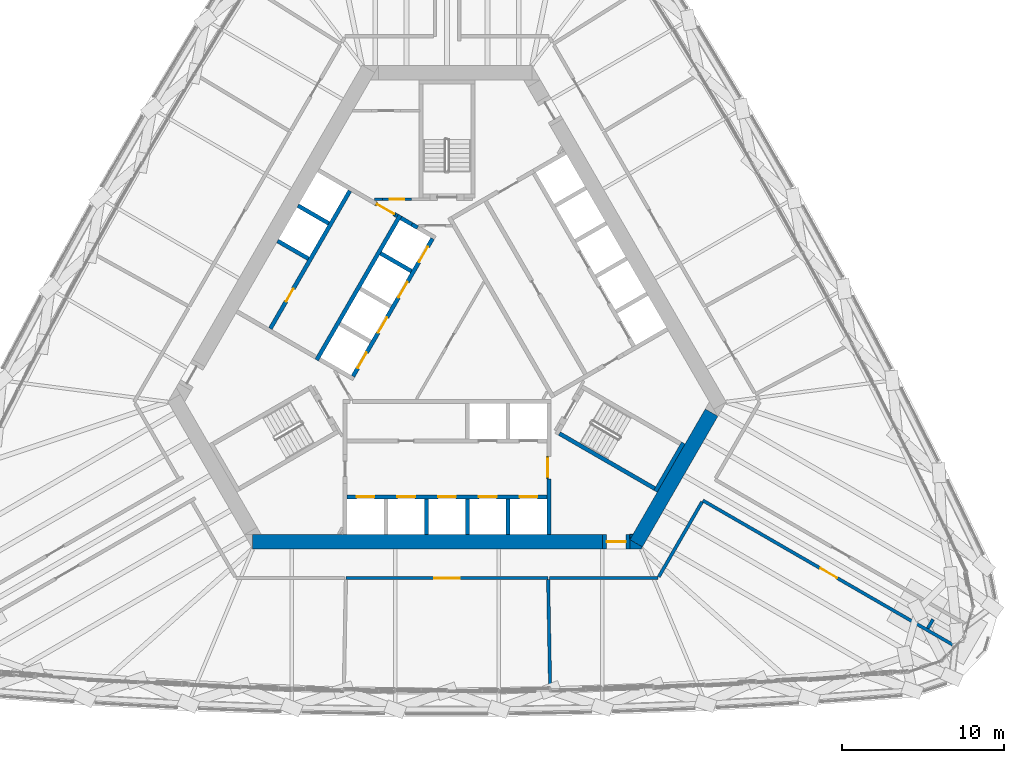
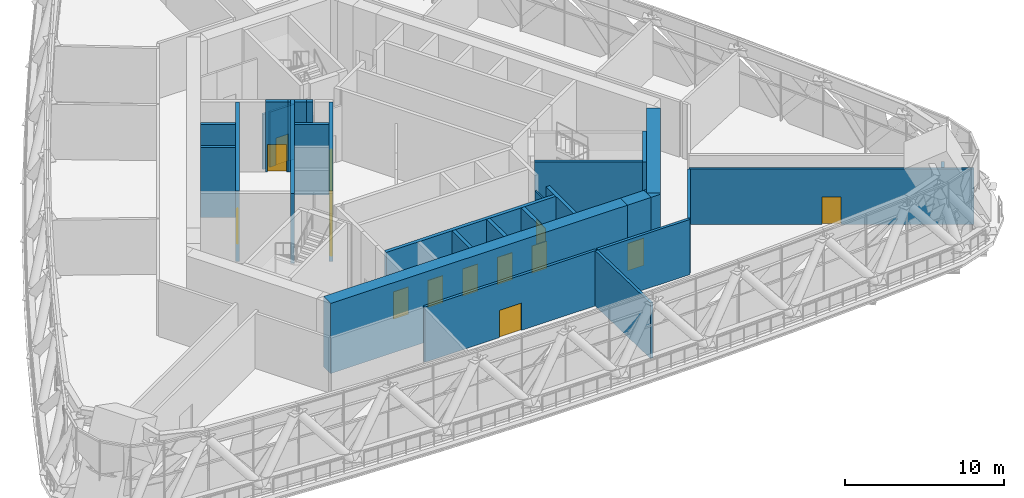
# One storey, part 27 of 43: 31 walls, 16 doors, 16 openings.
"""IFC4 building model written with IfcOpenShell, lengths in metres."""

from ifc_helpers import new_model, si_unit, direction, frame, frame_2d, origin, place, context, subcontext, project, spatial, polyline, rectangle, outline, extrude, material, layer, layer_set, type_object, element, fill, save


model = new_model("IFC4")

# Units and contexts
model_context = context("Model", 3, precision=1e-05, world=origin(), true_north=direction((0.0, 1.0)))
body_context = subcontext(model_context, "Body", "Model", "MODEL_VIEW")
ifc_project = project(units=[si_unit("LENGTHUNIT", "METRE"), si_unit("AREAUNIT", "SQUARE_METRE"), si_unit("VOLUMEUNIT", "CUBIC_METRE"), si_unit("PLANEANGLEUNIT", "RADIAN"), si_unit("MASSUNIT", "GRAM", prefix="KILO")], contexts=[model_context])

# Site, building, storey
site_placement = place(None, origin())
site = spatial("IfcSite", under=ifc_project, at=site_placement, CompositionType="ELEMENT")
building_placement = place(site_placement, origin())
building = spatial("IfcBuilding", under=site, at=building_placement, Name="Mestral Congress Tower", CompositionType="ELEMENT")
storey_placement = place(building_placement, frame((0.0, 0.0, 78.300048828125)))
storey = spatial("IfcBuildingStorey", under=building, at=storey_placement, Name="L18", CompositionType="ELEMENT", Elevation=78.300048828125)

# Wall
ifc_material_1 = material(Name="Fire-rated board partition")
ifc_layer_1 = layer(ifc_material_1, 0.14990234375)
ifc_layer_set_1 = layer_set([ifc_layer_1], Name="Fire-rated board partition")
wall_type_1 = type_object("IfcWallType", Name="Core partition 150", PredefinedType="PARTITIONING", material=ifc_layer_set_1)
wall_1_placement = place(storey_placement, frame((-3.99658203125, 8.625244140625, 0.0), z_axis=(0.0, 0.0, 1.0), x_axis=(-1.0, 0.0, 0.0)))
element("IfcWall", 1, at=wall_1_placement, inside=storey, type_object=wall_type_1, Name="L18 core wall", PredefinedType="PARTITIONING", context=body_context, shape_type="SweptSolid", body=[
    extrude(rectangle(XDim=0.502197265625, YDim=0.14990234375, at=frame_2d((0.2509765625, 0.0))), origin(), (0.0, 0.0, 1.0), 4.25),
])

# Wall, opening, door
wall_2_placement = place(storey_placement, frame((-2.1962890625, 8.625, 0.0), z_axis=(0.0, 0.0, 1.0), x_axis=(-1.0, 0.0, 0.0)))
wall_2 = element("IfcWall", 2, at=wall_2_placement, inside=storey, type_object=wall_type_1, Name="L18 door wall", PredefinedType="PARTITIONING", context=body_context, shape_type="SweptSolid", body=[
    extrude(rectangle(XDim=1.800048828125, YDim=0.14990234375, at=frame_2d((0.89990234375, 0.0))), origin(), (0.0, 0.0, 1.0), 4.25),
])
opening_1_placement = place(wall_2_placement, frame((0.449951171875, 0.0, 0.0)))
opening_1 = element("IfcOpeningElement", 3, at=opening_1_placement, cuts=wall_2, Name="Opening TD2", PredefinedType="OPENING", context=body_context, shape_type="SweptSolid", body=[
    extrude(rectangle(XDim=0.89990234375, YDim=2.10009765625, at=frame_2d((0.449951171875, 1.050048828125))), frame((0.0, 0.0849609375, 0.0), z_axis=(0.0, -1.0, 0.0), x_axis=(1.0, 0.0, 0.0)), (0.0, 0.0, 1.0), 0.169921875),
])
ifc_material_2 = material(Name="Fire-rated steel door set", Category="steel")
door_type_1 = type_object("IfcDoorType", Name="Core door SR 900x2100", OperationType="SINGLE_SWING_LEFT", PredefinedType="DOOR", material=ifc_material_2)
door_1_placement = place(opening_1_placement, origin())
door_1 = element("IfcDoor", 4, at=door_1_placement, inside=storey, type_object=door_type_1, Name="Door TD2", OperationType="SINGLE_SWING_LEFT", OverallHeight=2.10009765625, OverallWidth=0.89990234375, PredefinedType="DOOR", context=body_context, shape_type="SweptSolid", body=[
    extrude(rectangle(XDim=0.89990234375, YDim=2.10009765625, at=frame_2d((0.449951171875, 1.050048828125))), frame((0.0, 0.02490234375, 0.0), z_axis=(0.0, -1.0, 0.0), x_axis=(1.0, 0.0, 0.0)), (0.0, 0.0, 1.0), 0.050048828125),
])
fill(opening_1, door_1)

ifc_layer_2 = layer(ifc_material_1, 0.090087890625)
ifc_layer_set_2 = layer_set([ifc_layer_2], Name="Fire-rated board partition")
wall_type_2 = type_object("IfcWallType", Name="Core partition 150 door-wall 90", PredefinedType="PARTITIONING", material=ifc_layer_set_2)
wall_3_placement = place(storey_placement, frame((6.219970703125, -7.266357421875, 0.0), z_axis=(0.0, 0.0, 1.0), x_axis=(0.0, -1.0, 0.0)))
wall_3 = element("IfcWall", 5, at=wall_3_placement, inside=storey, type_object=wall_type_2, Name="L18 door wall", PredefinedType="PARTITIONING", context=body_context, shape_type="SweptSolid", body=[
    extrude(rectangle(XDim=1.400146484375, YDim=0.090087890625, at=frame_2d((0.7001953125, 0.0))), origin(), (0.0, 0.0, 1.0), 4.25),
])
opening_2_placement = place(wall_3_placement, frame((0.10009765625, 0.0, 0.0)))
opening_2 = element("IfcOpeningElement", 6, at=opening_2_placement, cuts=wall_3, Name="Opening LB0-WL1", PredefinedType="OPENING", context=body_context, shape_type="SweptSolid", body=[
    extrude(rectangle(XDim=1.199951171875, YDim=2.10009765625, at=frame_2d((0.60009765625, 1.050048828125))), frame((0.0, 0.054931640625, 0.0), z_axis=(0.0, -1.0, 0.0), x_axis=(1.0, 0.0, 0.0)), (0.0, 0.0, 1.0), 0.110107421875),
])
door_type_2 = type_object("IfcDoorType", Name="Core door LB 1200x2100", OperationType="SINGLE_SWING_LEFT", PredefinedType="DOOR", material=ifc_material_2)
door_2_placement = place(opening_2_placement, origin())
door_2 = element("IfcDoor", 7, at=door_2_placement, inside=storey, type_object=door_type_2, Name="Door LB0-WL1", OperationType="SINGLE_SWING_LEFT", OverallHeight=2.10009765625, OverallWidth=1.199951171875, PredefinedType="DOOR", context=body_context, shape_type="SweptSolid", body=[
    extrude(rectangle(XDim=1.199951171875, YDim=2.10009765625, at=frame_2d((0.60009765625, 1.050048828125))), frame((0.0, 0.02490234375, 0.0), z_axis=(0.0, -1.0, 0.0), x_axis=(1.0, 0.0, 0.0)), (0.0, 0.0, 1.0), 0.050048828125),
])
fill(opening_2, door_2)

# Walls
ifc_material_3 = material(Name="Concrete C60/75", Category="concrete")
ifc_layer_3 = layer(ifc_material_3, 0.89990234375)
ifc_layer_set_3 = layer_set([ifc_layer_3], Name="Concrete C60/75")
wall_type_3 = type_object("IfcWallType", Name="Core wall RC 900", PredefinedType="SOLIDWALL", material=ifc_layer_set_3)
wall_4_placement = place(storey_placement, frame((11.69482421875, -12.643798828125, 0.0), z_axis=(0.0, 0.0, 1.0), x_axis=(0.500010229568, 0.86601949766, 0.0)))
element("IfcWall", 8, at=wall_4_placement, inside=storey, type_object=wall_type_3, Name="L18 core wall", PredefinedType="SOLIDWALL", context=body_context, shape_type="SweptSolid", body=[
    extrude(rectangle(XDim=9.326416015625, YDim=0.89990234375, at=frame_2d((4.6630859375, 0.0))), origin(), (0.0, 0.0, 1.0), 5.39990234375),
])
placement = place(storey_placement, origin())
element("IfcWall", 9, at=placement, inside=storey, type_object=wall_type_3, Name="L18 core wall", PredefinedType="SOLIDWALL", context=body_context, shape_type="SweptSolid", body=[
    extrude(outline(polyline([(12.0087890625, -13.0), (11.31201171875, -13.0), (11.31201171875, -12.425048828125), (12.08349609375, -12.87060546875), (12.0087890625, -13.0)])), origin(), (0.0, 0.0, 1.0), 5.39990234375),
])
element("IfcWall", 10, at=placement, inside=storey, type_object=wall_type_3, Name="L18 core wall", PredefinedType="SOLIDWALL", context=body_context, shape_type="SweptSolid", body=[
    extrude(outline(polyline([(11.4892578125, -12.10009765625), (11.31201171875, -12.4072265625), (11.31201171875, -12.10009765625), (11.4892578125, -12.10009765625)])), origin(), (0.0, 0.0, 1.0), 5.39990234375),
])
wall_7_placement = place(storey_placement, frame((-12.0185546875, -12.550048828125, 0.0), z_axis=(0.0, 0.0, 1.0), x_axis=(1.0, 0.0, 0.0)))
element("IfcWall", 11, at=wall_7_placement, inside=storey, type_object=wall_type_3, Name="L18 core wall", PredefinedType="SOLIDWALL", context=body_context, shape_type="SweptSolid", body=[
    extrude(rectangle(XDim=21.63037109375, YDim=0.89990234375, at=frame_2d((10.815185546875, 0.0))), origin(), (0.0, 0.0, 1.0), 5.39990234375),
])

# Wall, opening, door
wall_8_placement = place(storey_placement, frame((11.311767578125, -12.550048828125, 0.0), z_axis=(0.0, 0.0, 1.0), x_axis=(-1.0, 0.0, 0.0)))
wall_8 = element("IfcWall", 12, at=wall_8_placement, inside=storey, type_object=wall_type_3, Name="L18 door wall", PredefinedType="SOLIDWALL", context=body_context, shape_type="SweptSolid", body=[
    extrude(rectangle(XDim=1.699951171875, YDim=0.89990234375, at=frame_2d((0.85009765625, 0.0))), origin(), (0.0, 0.0, 1.0), 5.39990234375),
])
opening_3_placement = place(wall_8_placement, frame((0.25, 0.0, 0.0)))
opening_3 = element("IfcOpeningElement", 13, at=opening_3_placement, cuts=wall_8, Name="Opening XD1", PredefinedType="OPENING", context=body_context, shape_type="SweptSolid", body=[
    extrude(rectangle(XDim=1.199951171875, YDim=2.10009765625, at=frame_2d((0.60009765625, 1.050048828125))), frame((0.0, 0.4599609375, 0.0), z_axis=(0.0, -1.0, 0.0), x_axis=(1.0, 0.0, 0.0)), (0.0, 0.0, 1.0), 0.919921875),
])
door_type_3 = type_object("IfcDoorType", Name="Core door XD 1200x2100", OperationType="SINGLE_SWING_LEFT", PredefinedType="DOOR", material=ifc_material_2)
door_3_placement = place(opening_3_placement, origin())
door_3 = element("IfcDoor", 14, at=door_3_placement, inside=storey, type_object=door_type_3, Name="Door XD1", OperationType="SINGLE_SWING_LEFT", OverallHeight=2.10009765625, OverallWidth=1.199951171875, PredefinedType="DOOR", context=body_context, shape_type="SweptSolid", body=[
    extrude(rectangle(XDim=1.199951171875, YDim=2.10009765625, at=frame_2d((0.60009765625, 1.050048828125))), frame((0.0, 0.02490234375, 0.0), z_axis=(0.0, -1.0, 0.0), x_axis=(1.0, 0.0, 0.0)), (0.0, 0.0, 1.0), 0.050048828125),
])
fill(opening_3, door_3)

# Walls
ifc_layer_4 = layer(ifc_material_3, 0.25)
ifc_layer_set_4 = layer_set([ifc_layer_4], Name="Concrete C60/75")
wall_type_4 = type_object("IfcWallType", Name="Shaft wall RC 250", PredefinedType="SOLIDWALL", material=ifc_layer_set_4)
wall_9_placement = place(storey_placement, frame((6.300048828125, -8.669921875, 0.0), z_axis=(0.0, 0.0, 1.0), x_axis=(0.0, -1.0, 0.0)))
element("IfcWall", 15, at=wall_9_placement, inside=storey, type_object=wall_type_4, Name="L18 core wall", PredefinedType="SOLIDWALL", context=body_context, shape_type="SweptSolid", body=[
    extrude(rectangle(XDim=3.43017578125, YDim=0.25, at=frame_2d((1.715087890625, 0.0))), origin(), (0.0, 0.0, 1.0), 5.39990234375),
])
for number, where, z_axis, x_axis, name in (
    (16, (3.780029296875, -12.10009765625, 0.0), (0.0, 0.0, 1.0), (0.0, 1.0, 0.0), "L18 core wall"),
    (17, (1.260009765625, -12.10009765625, 0.0), (0.0, 0.0, 1.0), (0.0, 1.0, 0.0), "L18 core wall"),
    (18, (-1.260009765625, -12.10009765625, 0.0), (0.0, 0.0, 1.0), (0.0, 1.0, 0.0), "L18 core wall"),
):
    element("IfcWall", number, at=place(storey_placement, frame(where, z_axis=z_axis, x_axis=x_axis)), inside=storey, type_object=wall_type_4, Name=name, PredefinedType="SOLIDWALL", context=body_context, shape_type="SweptSolid", body=[
        extrude(rectangle(XDim=2.199951171875, YDim=0.25, at=frame_2d((1.10009765625, 0.0))), origin(), (0.0, 0.0, 1.0), 5.39990234375),
    ])
wall_10_placement = place(storey_placement, frame((-8.06005859375, -1.310546875, 0.0), z_axis=(0.0, 0.0, 1.0), x_axis=(0.50000273126, 0.866023826885, 0.0)))
element("IfcWall", 19, at=wall_10_placement, inside=storey, type_object=wall_type_4, Name="L18 core wall", PredefinedType="SOLIDWALL", context=body_context, shape_type="SweptSolid", body=[
    extrude(rectangle(XDim=10.330078125, YDim=0.25, at=frame_2d((5.1650390625, 0.0))), origin(), (0.0, 0.0, 1.0), 5.39990234375),
])
wall_11_placement = place(storey_placement, frame((-1.818603515625, 6.869873046875, 0.0), z_axis=(0.0, 0.0, 1.0), x_axis=(-0.866294599386, 0.499533449405, 0.0)))
element("IfcWall", 20, at=wall_11_placement, inside=storey, type_object=wall_type_4, Name="L18 core wall", PredefinedType="SOLIDWALL", context=body_context, shape_type="SweptSolid", body=[
    extrude(rectangle(XDim=0.41015625, YDim=0.25, at=frame_2d((0.205078125, 0.0))), origin(), (0.0, 0.0, 1.0), 5.39990234375),
])
wall_12_placement = place(storey_placement, frame((-2.849365234375, 7.46484375, 0.0), z_axis=(0.0, 0.0, 1.0), x_axis=(0.865955664968, -0.500120771724, 0.0)))
element("IfcWall", 21, at=wall_12_placement, inside=storey, type_object=wall_type_4, Name="L18 core wall", PredefinedType="SOLIDWALL", context=body_context, shape_type="SweptSolid", body=[
    extrude(rectangle(XDim=0.778076171875, YDim=0.25, at=frame_2d((0.38916015625, 0.0))), origin(), (0.0, 0.0, 1.0), 5.39990234375),
])
wall_13_placement = place(storey_placement, frame((-2.2041015625, 4.182373046875, 0.0), z_axis=(0.0, 0.0, 1.0), x_axis=(-0.866008176907, 0.50002983664, 0.0)))
element("IfcWall", 22, at=wall_13_placement, inside=storey, type_object=wall_type_4, Name="L18 core wall", PredefinedType="SOLIDWALL", context=body_context, shape_type="SweptSolid", body=[
    extrude(rectangle(XDim=2.199951171875, YDim=0.25, at=frame_2d((1.10009765625, 0.0))), origin(), (0.0, 0.0, 1.0), 5.39990234375),
])
element("IfcWall", 23, at=placement, inside=storey, type_object=wall_type_4, Name="L18 core wall", PredefinedType="SOLIDWALL", context=body_context, shape_type="SweptSolid", body=[
    extrude(outline(polyline([(-3.12841796875, 7.4814453125), (-3.2587890625, 7.556640625), (-3.1337890625, 7.773193359375), (-3.00341796875, 7.697998046875), (-3.12841796875, 7.4814453125)])), origin(), (0.0, 0.0, 1.0), 5.39990234375),
])
for number, where, z_axis, x_axis, name in (
    (24, (-8.57373046875, 4.949951171875, 0.0), (0.0, 0.0, 1.0), (-0.866008176907, 0.50002983664, 0.0), "L18 core wall"),
    (25, (-7.313720703125, 7.13232421875, 0.0), (0.0, 0.0, 1.0), (-0.866008176907, 0.50002983664, 0.0), "L18 core wall"),
):
    element("IfcWall", number, at=place(storey_placement, frame(where, z_axis=z_axis, x_axis=x_axis)), inside=storey, type_object=wall_type_4, Name=name, PredefinedType="SOLIDWALL", context=body_context, shape_type="SweptSolid", body=[
        extrude(rectangle(XDim=2.199951171875, YDim=0.25, at=frame_2d((1.10009765625, 0.0))), origin(), (0.0, 0.0, 1.0), 5.39990234375),
    ])

# Wall, openings, doors
wall_15_placement = place(storey_placement, frame((-6.175048828125, -9.77490234375, 0.0), z_axis=(0.0, 0.0, 1.0), x_axis=(1.0, 0.0, 0.0)))
wall_15 = element("IfcWall", 26, at=wall_15_placement, inside=storey, type_object=wall_type_4, Name="L18 door wall", PredefinedType="SOLIDWALL", context=body_context, shape_type="SweptSolid", body=[
    extrude(rectangle(XDim=12.35009765625, YDim=0.25, at=frame_2d((6.175048828125, 0.0))), origin(), (0.0, 0.0, 1.0), 5.39990234375),
])
opening_4_placement = place(wall_15_placement, frame((0.5849609375, 0.0, 0.0)))
opening_4 = element("IfcOpeningElement", 27, at=opening_4_placement, cuts=wall_15, Name="Opening LD-SOA1", PredefinedType="OPENING", context=body_context, shape_type="SweptSolid", body=[
    extrude(rectangle(XDim=1.10009765625, YDim=2.10009765625, at=frame_2d((0.550048828125, 1.050048828125))), frame((0.0, 0.135009765625, 0.0), z_axis=(0.0, -1.0, 0.0), x_axis=(1.0, 0.0, 0.0)), (0.0, 0.0, 1.0), 0.27001953125),
])
opening_5_placement = place(wall_15_placement, frame((3.10498046875, 0.0, 0.0)))
opening_5 = element("IfcOpeningElement", 28, at=opening_5_placement, cuts=wall_15, Name="Opening LD-SOA2", PredefinedType="OPENING", context=body_context, shape_type="SweptSolid", body=[
    extrude(rectangle(XDim=1.10009765625, YDim=2.10009765625, at=frame_2d((0.550048828125, 1.050048828125))), frame((0.0, 0.135009765625, 0.0), z_axis=(0.0, -1.0, 0.0), x_axis=(1.0, 0.0, 0.0)), (0.0, 0.0, 1.0), 0.27001953125),
])
opening_6_placement = place(wall_15_placement, frame((5.625, 0.0, 0.0)))
opening_6 = element("IfcOpeningElement", 29, at=opening_6_placement, cuts=wall_15, Name="Opening LD-SOA3", PredefinedType="OPENING", context=body_context, shape_type="SweptSolid", body=[
    extrude(rectangle(XDim=1.10009765625, YDim=2.10009765625, at=frame_2d((0.550048828125, 1.050048828125))), frame((0.0, 0.135009765625, 0.0), z_axis=(0.0, -1.0, 0.0), x_axis=(1.0, 0.0, 0.0)), (0.0, 0.0, 1.0), 0.27001953125),
])
opening_7_placement = place(wall_15_placement, frame((8.14501953125, 0.0, 0.0)))
opening_7 = element("IfcOpeningElement", 30, at=opening_7_placement, cuts=wall_15, Name="Opening LD-SOA4", PredefinedType="OPENING", context=body_context, shape_type="SweptSolid", body=[
    extrude(rectangle(XDim=1.10009765625, YDim=2.10009765625, at=frame_2d((0.550048828125, 1.050048828125))), frame((0.0, 0.135009765625, 0.0), z_axis=(0.0, -1.0, 0.0), x_axis=(1.0, 0.0, 0.0)), (0.0, 0.0, 1.0), 0.27001953125),
])
opening_8_placement = place(wall_15_placement, frame((10.6650390625, 0.0, 0.0)))
opening_8 = element("IfcOpeningElement", 31, at=opening_8_placement, cuts=wall_15, Name="Opening LD-SOA5", PredefinedType="OPENING", context=body_context, shape_type="SweptSolid", body=[
    extrude(rectangle(XDim=1.10009765625, YDim=2.10009765625, at=frame_2d((0.550048828125, 1.050048828125))), frame((0.0, 0.135009765625, 0.0), z_axis=(0.0, -1.0, 0.0), x_axis=(1.0, 0.0, 0.0)), (0.0, 0.0, 1.0), 0.27001953125),
])
door_type_4 = type_object("IfcDoorType", Name="Core door LD 1100x2100", OperationType="DOUBLE_DOOR_SLIDING", PredefinedType="DOOR", material=ifc_material_2)
door_4_placement = place(opening_4_placement, origin())
door_4 = element("IfcDoor", 32, at=door_4_placement, inside=storey, type_object=door_type_4, Name="Door LD-SOA1", OperationType="DOUBLE_DOOR_SLIDING", OverallHeight=2.10009765625, OverallWidth=1.10009765625, PredefinedType="DOOR", context=body_context, shape_type="SweptSolid", body=[
    extrude(rectangle(XDim=1.10009765625, YDim=2.10009765625, at=frame_2d((0.550048828125, 1.050048828125))), frame((0.0, 0.02490234375, 0.0), z_axis=(0.0, -1.0, 0.0), x_axis=(1.0, 0.0, 0.0)), (0.0, 0.0, 1.0), 0.050048828125),
])
fill(opening_4, door_4)
door_5_placement = place(opening_5_placement, origin())
door_5 = element("IfcDoor", 33, at=door_5_placement, inside=storey, type_object=door_type_4, Name="Door LD-SOA2", OperationType="DOUBLE_DOOR_SLIDING", OverallHeight=2.10009765625, OverallWidth=1.10009765625, PredefinedType="DOOR", context=body_context, shape_type="SweptSolid", body=[
    extrude(rectangle(XDim=1.10009765625, YDim=2.10009765625, at=frame_2d((0.550048828125, 1.050048828125))), frame((0.0, 0.02490234375, 0.0), z_axis=(0.0, -1.0, 0.0), x_axis=(1.0, 0.0, 0.0)), (0.0, 0.0, 1.0), 0.050048828125),
])
fill(opening_5, door_5)
door_6_placement = place(opening_6_placement, origin())
door_6 = element("IfcDoor", 34, at=door_6_placement, inside=storey, type_object=door_type_4, Name="Door LD-SOA3", OperationType="DOUBLE_DOOR_SLIDING", OverallHeight=2.10009765625, OverallWidth=1.10009765625, PredefinedType="DOOR", context=body_context, shape_type="SweptSolid", body=[
    extrude(rectangle(XDim=1.10009765625, YDim=2.10009765625, at=frame_2d((0.550048828125, 1.050048828125))), frame((0.0, 0.02490234375, 0.0), z_axis=(0.0, -1.0, 0.0), x_axis=(1.0, 0.0, 0.0)), (0.0, 0.0, 1.0), 0.050048828125),
])
fill(opening_6, door_6)
door_7_placement = place(opening_7_placement, origin())
door_7 = element("IfcDoor", 35, at=door_7_placement, inside=storey, type_object=door_type_4, Name="Door LD-SOA4", OperationType="DOUBLE_DOOR_SLIDING", OverallHeight=2.10009765625, OverallWidth=1.10009765625, PredefinedType="DOOR", context=body_context, shape_type="SweptSolid", body=[
    extrude(rectangle(XDim=1.10009765625, YDim=2.10009765625, at=frame_2d((0.550048828125, 1.050048828125))), frame((0.0, 0.02490234375, 0.0), z_axis=(0.0, -1.0, 0.0), x_axis=(1.0, 0.0, 0.0)), (0.0, 0.0, 1.0), 0.050048828125),
])
fill(opening_7, door_7)
door_8_placement = place(opening_8_placement, origin())
door_8 = element("IfcDoor", 36, at=door_8_placement, inside=storey, type_object=door_type_4, Name="Door LD-SOA5", OperationType="DOUBLE_DOOR_SLIDING", OverallHeight=2.10009765625, OverallWidth=1.10009765625, PredefinedType="DOOR", context=body_context, shape_type="SweptSolid", body=[
    extrude(rectangle(XDim=1.10009765625, YDim=2.10009765625, at=frame_2d((0.550048828125, 1.050048828125))), frame((0.0, 0.02490234375, 0.0), z_axis=(0.0, -1.0, 0.0), x_axis=(1.0, 0.0, 0.0)), (0.0, 0.0, 1.0), 0.050048828125),
])
fill(opening_8, door_8)

# Wall, opening, door
wall_16_placement = place(storey_placement, frame((-6.0078125, 9.14404296875, 0.0), z_axis=(0.0, 0.0, 1.0), x_axis=(-0.500006956611, -0.866021387346, 0.0)))
wall_16 = element("IfcWall", 37, at=wall_16_placement, inside=storey, type_object=wall_type_4, Name="L18 door wall", PredefinedType="SOLIDWALL", context=body_context, shape_type="SweptSolid", body=[
    extrude(rectangle(XDim=9.829833984375, YDim=0.25, at=frame_2d((4.9150390625, 0.0))), origin(), (0.0, 0.0, 1.0), 5.39990234375),
])
opening_9_placement = place(wall_16_placement, frame((6.985107421875, 0.0, 0.0)))
opening_9 = element("IfcOpeningElement", 38, at=opening_9_placement, cuts=wall_16, Name="Opening SR-NWA2", PredefinedType="OPENING", context=body_context, shape_type="SweptSolid", body=[
    extrude(rectangle(XDim=0.89990234375, YDim=2.10009765625, at=frame_2d((0.449951171875, 1.050048828125))), frame((0.0, 0.135009765625, 0.0), z_axis=(0.0, -1.0, 0.0), x_axis=(1.0, 0.0, 0.0)), (0.0, 0.0, 1.0), 0.27001953125),
])
door_9_placement = place(opening_9_placement, origin())
door_9 = element("IfcDoor", 39, at=door_9_placement, inside=storey, type_object=door_type_1, Name="Door SR-NWA2", OperationType="SINGLE_SWING_LEFT", OverallHeight=2.10009765625, OverallWidth=0.89990234375, PredefinedType="DOOR", context=body_context, shape_type="SweptSolid", body=[
    extrude(rectangle(XDim=0.89990234375, YDim=2.10009765625, at=frame_2d((0.449951171875, 1.050048828125))), frame((0.0, 0.02490234375, 0.0), z_axis=(0.0, -1.0, 0.0), x_axis=(1.0, 0.0, 0.0)), (0.0, 0.0, 1.0), 0.050048828125),
])
fill(opening_9, door_9)

# Wall, openings, doors
wall_17_placement = place(storey_placement, frame((-0.898193359375, 6.194091796875, 0.0), z_axis=(0.0, 0.0, 1.0), x_axis=(-0.499996202215, -0.866027596426, 0.0)))
wall_17 = element("IfcWall", 40, at=wall_17_placement, inside=storey, type_object=wall_type_4, Name="L18 door wall", PredefinedType="SOLIDWALL", context=body_context, shape_type="SweptSolid", body=[
    extrude(rectangle(XDim=9.830078125, YDim=0.25, at=frame_2d((4.9150390625, 0.0))), origin(), (0.0, 0.0, 1.0), 5.39990234375),
])
opening_10_placement = place(wall_17_placement, frame((0.5849609375, 0.0, 0.0)))
opening_10 = element("IfcOpeningElement", 41, at=opening_10_placement, cuts=wall_17, Name="Opening LD-NWB1", PredefinedType="OPENING", context=body_context, shape_type="SweptSolid", body=[
    extrude(rectangle(XDim=1.10009765625, YDim=2.10009765625, at=frame_2d((0.550048828125, 1.050048828125))), frame((0.0, 0.135009765625, 0.0), z_axis=(0.0, -1.0, 0.0), x_axis=(1.0, 0.0, 0.0)), (0.0, 0.0, 1.0), 0.27001953125),
])
opening_11_placement = place(wall_17_placement, frame((3.10498046875, 0.0, 0.0)))
opening_11 = element("IfcOpeningElement", 42, at=opening_11_placement, cuts=wall_17, Name="Opening LD-NWB2", PredefinedType="OPENING", context=body_context, shape_type="SweptSolid", body=[
    extrude(rectangle(XDim=1.10009765625, YDim=2.10009765625, at=frame_2d((0.550048828125, 1.050048828125))), frame((0.0, 0.135009765625, 0.0), z_axis=(0.0, -1.0, 0.0), x_axis=(1.0, 0.0, 0.0)), (0.0, 0.0, 1.0), 0.27001953125),
])
opening_12_placement = place(wall_17_placement, frame((5.625, 0.0, 0.0)))
opening_12 = element("IfcOpeningElement", 43, at=opening_12_placement, cuts=wall_17, Name="Opening LD-NWB3", PredefinedType="OPENING", context=body_context, shape_type="SweptSolid", body=[
    extrude(rectangle(XDim=1.10009765625, YDim=2.10009765625, at=frame_2d((0.550048828125, 1.050048828125))), frame((0.0, 0.135009765625, 0.0), z_axis=(0.0, -1.0, 0.0), x_axis=(1.0, 0.0, 0.0)), (0.0, 0.0, 1.0), 0.27001953125),
])
opening_13_placement = place(wall_17_placement, frame((8.14501953125, 0.0, 0.0)))
opening_13 = element("IfcOpeningElement", 44, at=opening_13_placement, cuts=wall_17, Name="Opening LD-NWB4", PredefinedType="OPENING", context=body_context, shape_type="SweptSolid", body=[
    extrude(rectangle(XDim=1.10009765625, YDim=2.10009765625, at=frame_2d((0.550048828125, 1.050048828125))), frame((0.0, 0.135009765625, 0.0), z_axis=(0.0, -1.0, 0.0), x_axis=(1.0, 0.0, 0.0)), (0.0, 0.0, 1.0), 0.27001953125),
])
door_10_placement = place(opening_10_placement, origin())
door_10 = element("IfcDoor", 45, at=door_10_placement, inside=storey, type_object=door_type_4, Name="Door LD-NWB1", OperationType="DOUBLE_DOOR_SLIDING", OverallHeight=2.10009765625, OverallWidth=1.10009765625, PredefinedType="DOOR", context=body_context, shape_type="SweptSolid", body=[
    extrude(rectangle(XDim=1.10009765625, YDim=2.10009765625, at=frame_2d((0.550048828125, 1.050048828125))), frame((0.0, 0.02490234375, 0.0), z_axis=(0.0, -1.0, 0.0), x_axis=(1.0, 0.0, 0.0)), (0.0, 0.0, 1.0), 0.050048828125),
])
fill(opening_10, door_10)
door_11_placement = place(opening_11_placement, origin())
door_11 = element("IfcDoor", 46, at=door_11_placement, inside=storey, type_object=door_type_4, Name="Door LD-NWB2", OperationType="DOUBLE_DOOR_SLIDING", OverallHeight=2.10009765625, OverallWidth=1.10009765625, PredefinedType="DOOR", context=body_context, shape_type="SweptSolid", body=[
    extrude(rectangle(XDim=1.10009765625, YDim=2.10009765625, at=frame_2d((0.550048828125, 1.050048828125))), frame((0.0, 0.02490234375, 0.0), z_axis=(0.0, -1.0, 0.0), x_axis=(1.0, 0.0, 0.0)), (0.0, 0.0, 1.0), 0.050048828125),
])
fill(opening_11, door_11)
door_12_placement = place(opening_12_placement, origin())
door_12 = element("IfcDoor", 47, at=door_12_placement, inside=storey, type_object=door_type_4, Name="Door LD-NWB3", OperationType="DOUBLE_DOOR_SLIDING", OverallHeight=2.10009765625, OverallWidth=1.10009765625, PredefinedType="DOOR", context=body_context, shape_type="SweptSolid", body=[
    extrude(rectangle(XDim=1.10009765625, YDim=2.10009765625, at=frame_2d((0.550048828125, 1.050048828125))), frame((0.0, 0.02490234375, 0.0), z_axis=(0.0, -1.0, 0.0), x_axis=(1.0, 0.0, 0.0)), (0.0, 0.0, 1.0), 0.050048828125),
])
fill(opening_12, door_12)
door_13_placement = place(opening_13_placement, origin())
door_13 = element("IfcDoor", 48, at=door_13_placement, inside=storey, type_object=door_type_4, Name="Door LD-NWB4", OperationType="DOUBLE_DOOR_SLIDING", OverallHeight=2.10009765625, OverallWidth=1.10009765625, PredefinedType="DOOR", context=body_context, shape_type="SweptSolid", body=[
    extrude(rectangle(XDim=1.10009765625, YDim=2.10009765625, at=frame_2d((0.550048828125, 1.050048828125))), frame((0.0, 0.02490234375, 0.0), z_axis=(0.0, -1.0, 0.0), x_axis=(1.0, 0.0, 0.0)), (0.0, 0.0, 1.0), 0.050048828125),
])
fill(opening_13, door_13)

# Wall, opening, door
wall_18_placement = place(storey_placement, frame((-4.40869140625, 8.364990234375, 0.0), z_axis=(0.0, 0.0, 1.0), x_axis=(0.866034573852, -0.49998411664, 0.0)))
wall_18 = element("IfcWall", 49, at=wall_18_placement, inside=storey, type_object=wall_type_4, Name="L18 door wall", PredefinedType="SOLIDWALL", context=body_context, shape_type="SweptSolid", body=[
    extrude(rectangle(XDim=1.39990234375, YDim=0.25, at=frame_2d((0.699951171875, 0.0))), origin(), (0.0, 0.0, 1.0), 5.39990234375),
])
opening_14_placement = place(wall_18_placement, frame((0.10009765625, 0.0, 0.0)))
opening_14 = element("IfcOpeningElement", 50, at=opening_14_placement, cuts=wall_18, Name="Opening LB2-WL2", PredefinedType="OPENING", context=body_context, shape_type="SweptSolid", body=[
    extrude(rectangle(XDim=1.199951171875, YDim=2.10009765625, at=frame_2d((0.60009765625, 1.050048828125))), frame((0.0, 0.135009765625, 0.0), z_axis=(0.0, -1.0, 0.0), x_axis=(1.0, 0.0, 0.0)), (0.0, 0.0, 1.0), 0.27001953125),
])
door_14_placement = place(opening_14_placement, origin())
door_14 = element("IfcDoor", 51, at=door_14_placement, inside=storey, type_object=door_type_2, Name="Door LB2-WL2", OperationType="SINGLE_SWING_LEFT", OverallHeight=2.10009765625, OverallWidth=1.199951171875, PredefinedType="DOOR", context=body_context, shape_type="SweptSolid", body=[
    extrude(rectangle(XDim=1.199951171875, YDim=2.10009765625, at=frame_2d((0.60009765625, 1.050048828125))), frame((0.0, 0.02490234375, 0.0), z_axis=(0.0, -1.0, 0.0), x_axis=(1.0, 0.0, 0.0)), (0.0, 0.0, 1.0), 0.050048828125),
])
fill(opening_14, door_14)

ifc_material_4 = material(Name="Concrete block wall, plastered", Category="concrete")
ifc_layer_5 = layer(ifc_material_4, 0.199951171875)
ifc_layer_set_5 = layer_set([ifc_layer_5], Name="Concrete block wall, plastered")
wall_type_5 = type_object("IfcWallType", Name="Special partition 200 EI 120", PredefinedType="PARTITIONING", material=ifc_layer_set_5)
wall_19_placement = place(storey_placement, frame((15.819580078125, -9.99951171875, 0.0), z_axis=(0.0, 0.0, 1.0), x_axis=(0.866025271609, -0.500000228935, 0.0)))
wall_19 = element("IfcWall", 52, at=wall_19_placement, inside=storey, type_object=wall_type_5, Name="Partition", PredefinedType="PARTITIONING", context=body_context, shape_type="SweptSolid", body=[
    extrude(rectangle(XDim=17.98046875, YDim=0.199951171875, at=frame_2d((8.990234375, 0.0))), origin(), (0.0, 0.0, 1.0), 4.25),
])
opening_15_placement = place(wall_19_placement, frame((8.39013671875, 0.0, 0.0)))
opening_15 = element("IfcOpeningElement", 53, at=opening_15_placement, cuts=wall_19, Name="Opening S18-004", PredefinedType="OPENING", context=body_context, shape_type="SweptSolid", body=[
    extrude(rectangle(XDim=1.199951171875, YDim=2.10009765625, at=frame_2d((0.60009765625, 1.050048828125))), frame((0.0, 0.10986328125, 0.0), z_axis=(0.0, -1.0, 0.0), x_axis=(1.0, 0.0, 0.0)), (0.0, 0.0, 1.0), 0.219970703125),
])
door_type_5 = type_object("IfcDoorType", Name="Refuge door 1200x2100", OperationType="SINGLE_SWING_LEFT", PredefinedType="DOOR", material=ifc_material_2)
door_15_placement = place(opening_15_placement, origin())
door_15 = element("IfcDoor", 54, at=door_15_placement, inside=storey, type_object=door_type_5, Name="Door S18-004", OperationType="SINGLE_SWING_RIGHT", OverallHeight=2.10009765625, OverallWidth=1.199951171875, PredefinedType="DOOR", context=body_context, shape_type="SweptSolid", body=[
    extrude(rectangle(XDim=1.199951171875, YDim=2.10009765625, at=frame_2d((0.60009765625, 1.050048828125))), frame((0.0, 0.02490234375, 0.0), z_axis=(0.0, -1.0, 0.0), x_axis=(1.0, 0.0, 0.0)), (0.0, 0.0, 1.0), 0.050048828125),
])
fill(opening_15, door_15)

wall_20_placement = place(storey_placement, frame((-6.25048828125, -14.800048828125, 0.0), z_axis=(0.0, 0.0, 1.0), x_axis=(1.0, 0.0, 0.0)))
wall_20 = element("IfcWall", 55, at=wall_20_placement, inside=storey, type_object=wall_type_5, Name="Partition", PredefinedType="PARTITIONING", context=body_context, shape_type="SweptSolid", body=[
    extrude(rectangle(XDim=12.5009765625, YDim=0.199951171875, at=frame_2d((6.25048828125, 0.0))), origin(), (0.0, 0.0, 1.0), 4.25),
])
opening_16_placement = place(wall_20_placement, frame((5.45068359375, 0.0, 0.0)))
opening_16 = element("IfcOpeningElement", 56, at=opening_16_placement, cuts=wall_20, Name="Opening S18-003", PredefinedType="OPENING", context=body_context, shape_type="SweptSolid", body=[
    extrude(rectangle(XDim=1.60009765625, YDim=2.10009765625, at=frame_2d((0.800048828125, 1.050048828125))), frame((0.0, 0.10986328125, 0.0), z_axis=(0.0, -1.0, 0.0), x_axis=(1.0, 0.0, 0.0)), (0.0, 0.0, 1.0), 0.219970703125),
])
door_type_6 = type_object("IfcDoorType", Name="Plant room double door 1600x2100", OperationType="DOUBLE_DOOR_SINGLE_SWING", PredefinedType="DOOR", material=ifc_material_2)
door_16_placement = place(opening_16_placement, origin())
door_16 = element("IfcDoor", 57, at=door_16_placement, inside=storey, type_object=door_type_6, Name="Door S18-003", OperationType="DOUBLE_DOOR_SINGLE_SWING", OverallHeight=2.10009765625, OverallWidth=1.60009765625, PredefinedType="DOOR", context=body_context, shape_type="SweptSolid", body=[
    extrude(rectangle(XDim=1.60009765625, YDim=2.10009765625, at=frame_2d((0.800048828125, 1.050048828125))), frame((0.0, 0.02490234375, 0.0), z_axis=(0.0, -1.0, 0.0), x_axis=(1.0, 0.0, 0.0)), (0.0, 0.0, 1.0), 0.050048828125),
])
fill(opening_16, door_16)

# Walls
wall_21_placement = place(storey_placement, frame((6.252197265625, -14.89990234375, 0.0), z_axis=(0.0, 0.0, 1.0), x_axis=(0.018503301714, -0.999828799258, 0.0)))
element("IfcWall", 58, at=wall_21_placement, inside=storey, type_object=wall_type_5, Name="Partition", PredefinedType="PARTITIONING", context=body_context, shape_type="SweptSolid", body=[
    extrude(rectangle(XDim=6.755615234375, YDim=0.199951171875, at=frame_2d((3.3779296875, 0.0))), origin(), (0.0, 0.0, 1.0), 4.25),
])
wall_22_placement = place(storey_placement, frame((13.048095703125, -14.800048828125, 0.0), z_axis=(0.0, 0.0, 1.0), x_axis=(-1.0, 0.0, 0.0)))
element("IfcWall", 59, at=wall_22_placement, inside=storey, type_object=wall_type_5, Name="Partition", PredefinedType="PARTITIONING", context=body_context, shape_type="SweptSolid", body=[
    extrude(rectangle(XDim=6.697998046875, YDim=0.199951171875, at=frame_2d((3.34912109375, 0.0))), origin(), (0.0, 0.0, 1.0), 4.25),
])
wall_23_placement = place(storey_placement, frame((15.769775390625, -10.086181640625, 0.0), z_axis=(0.0, 0.0, 1.0), x_axis=(-0.500023797175, -0.866011664043, 0.0)))
element("IfcWall", 60, at=wall_23_placement, inside=storey, type_object=wall_type_5, Name="Partition", PredefinedType="PARTITIONING", context=body_context, shape_type="SweptSolid", body=[
    extrude(rectangle(XDim=5.353271484375, YDim=0.199951171875, at=frame_2d((2.6767578125, 0.0))), origin(), (0.0, 0.0, 1.0), 4.25),
])
wall_24_placement = place(storey_placement, frame((30.05029296875, -17.349365234375, 0.0), z_axis=(0.0, 0.0, 1.0), x_axis=(-0.50017749597, -0.865922902183, 0.0)))
element("IfcWall", 61, at=wall_24_placement, inside=storey, type_object=wall_type_5, Name="Partition", PredefinedType="PARTITIONING", context=body_context, shape_type="SweptSolid", body=[
    extrude(rectangle(XDim=0.650146484375, YDim=0.199951171875, at=frame_2d((0.3251953125, 0.0))), origin(), (0.0, 0.0, 1.0), 4.25),
])
ifc_layer_6 = layer(ifc_material_3, 0.25)
ifc_layer_set_6 = layer_set([ifc_layer_6], Name="Concrete C60/75")
wall_type_6 = type_object("IfcWallType", Name="Stair wall RC 250", PredefinedType="SOLIDWALL", material=ifc_layer_set_6)
wall_25_placement = place(storey_placement, frame((12.885498046875, -9.431396484375, 0.0), z_axis=(0.0, 0.0, 1.0), x_axis=(0.500020560727, 0.866013532718, 0.0)))
element("IfcWall", 62, at=wall_25_placement, inside=storey, type_object=wall_type_6, Name="L18 core wall", PredefinedType="SOLIDWALL", context=body_context, shape_type="SweptSolid", body=[
    extrude(rectangle(XDim=3.449951171875, YDim=0.25, at=frame_2d((1.72509765625, 0.0))), origin(), (0.0, 0.0, 1.0), 5.39990234375),
])
wall_26_placement = place(storey_placement, frame((12.83984375, -9.2607421875, 0.0), z_axis=(0.0, 0.0, 1.0), x_axis=(-0.866013990052, 0.500019768644, 0.0)))
element("IfcWall", 63, at=wall_26_placement, inside=storey, type_object=wall_type_6, Name="L18 core wall", PredefinedType="SOLIDWALL", context=body_context, shape_type="SweptSolid", body=[
    extrude(rectangle(XDim=6.800048828125, YDim=0.25, at=frame_2d((3.39990234375, 0.0))), origin(), (0.0, 0.0, 1.0), 5.39990234375),
])

save(model, "model.ifc")
